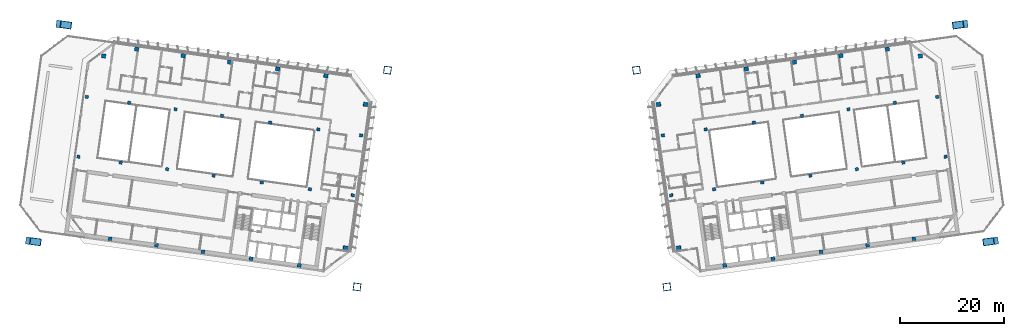
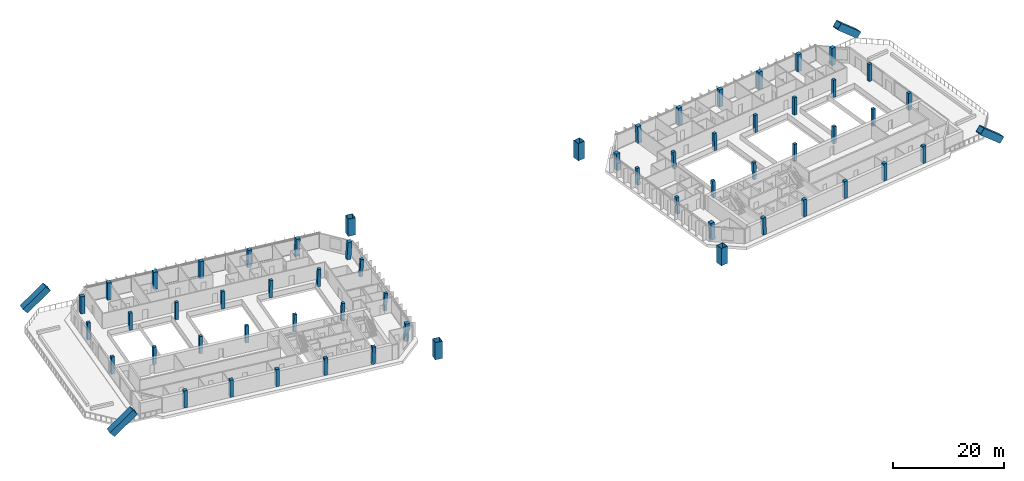
# One storey, part 1 of 23: 62 columns.
"""IFC4 building model written with IfcOpenShell, lengths in metres."""

from ifc_helpers import new_model, si_unit, direction, frame, origin, origin_2d, place, context, subcontext, project, spatial, rectangle, hollow_rectangle, extrude, material, material_profile, profile_set, type_object, element, save


model = new_model("IFC4")

# Units and contexts
model_context = context("Model", 3, precision=1e-05, world=origin(), true_north=direction((0.0, 1.0)))
body_context = subcontext(model_context, "Body", "Model", "MODEL_VIEW")
ifc_project = project(units=[si_unit("LENGTHUNIT", "METRE"), si_unit("AREAUNIT", "SQUARE_METRE"), si_unit("VOLUMEUNIT", "CUBIC_METRE"), si_unit("PLANEANGLEUNIT", "RADIAN"), si_unit("MASSUNIT", "GRAM", prefix="KILO")], contexts=[model_context])

# Site, building, storey
site_placement = place(None, origin())
site = spatial("IfcSite", under=ifc_project, at=site_placement, CompositionType="ELEMENT")
building_placement = place(site_placement, origin())
building = spatial("IfcBuilding", under=site, at=building_placement, Name="Mirante Cascada Hotel Towers", CompositionType="ELEMENT")
storey_placement = place(building_placement, frame((0.0, 0.0, 180.2)))
storey = spatial("IfcBuildingStorey", under=building, at=storey_placement, Name="L42", CompositionType="ELEMENT", Elevation=180.2)

# Columns
ifc_material_1 = material(Name="Steel ASTM A572 Gr 50", Category="steel")
ifc_material_profile_1 = material_profile(ifc_material_1, hollow_rectangle(XDim=1.4, YDim=1.4, WallThickness=0.06, at=origin_2d()), Name="Box column 1400x1400x60 ASTM A572 Gr 50")
ifc_profile_set_1 = profile_set([ifc_material_profile_1], Name="Steel ASTM A572 Gr 50")
column_type_1 = type_object("IfcColumnType", Name="Box column 1400x1400x60 ASTM A572 Gr 50", PredefinedType="COLUMN", material=ifc_profile_set_1)
for number, where, z_axis, x_axis, name in (
    (1, (-23.8883, 18.3474, 0.0), (0.0, 0.0, 1.0), (-0.9902681, 0.1391731, 0.0), "Mega column MC1 T1 L42"),
    (2, (-29.7336, -23.2438, 0.0), (0.0, 0.0, 1.0), (-0.9902681, 0.1391731, 0.0), "Mega column MC2 T1 L42"),
):
    element("IfcColumn", number, at=place(storey_placement, frame(where, z_axis=z_axis, x_axis=x_axis)), inside=storey, type_object=column_type_1, Name=name, PredefinedType="COLUMN", context=body_context, shape_type="SweptSolid", body=[
        extrude(hollow_rectangle(XDim=1.4, YDim=1.4, WallThickness=0.06, at=origin_2d()), origin(), (0.0, 0.0, 1.0), 3.8),
    ])
column_1_placement = place(storey_placement, frame((-86.9886, 27.2156, 0.0), z_axis=(0.7565937, -0.106336, 0.6451811), x_axis=(0.1391779, 0.9902674, 0.0)))
element("IfcColumn", 3, at=column_1_placement, inside=storey, type_object=column_type_1, Name="Mega column MC3 T1 L42", PredefinedType="COLUMN", context=body_context, shape_type="SweptSolid", body=[
    extrude(hollow_rectangle(XDim=1.4, YDim=1.4, WallThickness=0.06, at=origin_2d()), origin(), (0.0, 0.0, 1.0), 5.8898),
])
column_2_placement = place(storey_placement, frame((-92.8339, -14.3757, 0.0), z_axis=(0.7566023, -0.1063179, 0.645174), x_axis=(0.139153, 0.9902709, 0.0)))
element("IfcColumn", 4, at=column_2_placement, inside=storey, type_object=column_type_1, Name="Mega column MC4 T1 L42", PredefinedType="COLUMN", context=body_context, shape_type="SweptSolid", body=[
    extrude(hollow_rectangle(XDim=1.4, YDim=1.4, WallThickness=0.06, at=origin_2d()), origin(), (0.0, 0.0, 1.0), 5.8899),
])
for number, where, z_axis, x_axis, name in (
    (5, (23.8883, 18.3474, 0.0), (0.0, 0.0, 1.0), (0.9902681, 0.1391731, 0.0), "Mega column MC1 T2 L42"),
    (6, (29.7336, -23.2438, 0.0), (0.0, 0.0, 1.0), (0.9902681, 0.1391731, 0.0), "Mega column MC2 T2 L42"),
):
    element("IfcColumn", number, at=place(storey_placement, frame(where, z_axis=z_axis, x_axis=x_axis)), inside=storey, type_object=column_type_1, Name=name, PredefinedType="COLUMN", context=body_context, shape_type="SweptSolid", body=[
        extrude(hollow_rectangle(XDim=1.4, YDim=1.4, WallThickness=0.06, at=origin_2d()), origin(), (0.0, 0.0, 1.0), 3.8),
    ])
column_3_placement = place(storey_placement, frame((86.9886, 27.2156, 0.0), z_axis=(-0.7565937, -0.106336, 0.6451811), x_axis=(0.1391779, -0.9902674, 0.0)))
element("IfcColumn", 7, at=column_3_placement, inside=storey, type_object=column_type_1, Name="Mega column MC3 T2 L42", PredefinedType="COLUMN", context=body_context, shape_type="SweptSolid", body=[
    extrude(hollow_rectangle(XDim=1.4, YDim=1.4, WallThickness=0.06, at=origin_2d()), origin(), (0.0, 0.0, 1.0), 5.8898),
])
column_4_placement = place(storey_placement, frame((92.8339, -14.3757, 0.0), z_axis=(-0.7566023, -0.1063179, 0.645174), x_axis=(0.139153, -0.9902709, 0.0)))
element("IfcColumn", 8, at=column_4_placement, inside=storey, type_object=column_type_1, Name="Mega column MC4 T2 L42", PredefinedType="COLUMN", context=body_context, shape_type="SweptSolid", body=[
    extrude(hollow_rectangle(XDim=1.4, YDim=1.4, WallThickness=0.06, at=origin_2d()), origin(), (0.0, 0.0, 1.0), 5.8899),
])
ifc_material_2 = material(Name="Concrete C50/60", Category="concrete")
ifc_material_profile_2 = material_profile(ifc_material_2, rectangle(XDim=0.6, YDim=0.6, at=origin_2d()), Name="RC column 600x600 C50/60")
ifc_profile_set_2 = profile_set([ifc_material_profile_2], Name="Concrete C50/60")
column_type_2 = type_object("IfcColumnType", Name="RC column 600x600 C50/60", PredefinedType="COLUMN", material=ifc_profile_set_2)
for number, where, z_axis, x_axis, name in (
    (9, (-28.9892, 5.8356, 0.004), (0.0618516, -0.0086855, 0.9980476), (0.1390611, 0.9902838, 0.0), "Column T1 L42 2"),
    (10, (-30.6036, -5.6515, 0.004), (0.0618516, -0.0087119, 0.9980473), (0.1394743, 0.9902257, 0.0), "Column T1 L42 3"),
):
    element("IfcColumn", number, at=place(storey_placement, frame(where, z_axis=z_axis, x_axis=x_axis)), inside=storey, type_object=column_type_2, Name=name, PredefinedType="COLUMN", context=body_context, shape_type="SweptSolid", body=[
        extrude(rectangle(XDim=0.6, YDim=0.6, at=origin_2d()), origin(), (0.0, 0.0, 1.0), 3.7994),
    ])
for number, where, z_axis, x_axis, name in (
    (11, (-37.1869, 6.9877, 0.004), (0.0472562, -0.006638, 0.9988607), (0.1391026, 0.990278, 0.0), "Column T1 L42 6"),
    (12, (-38.8013, -4.4994, 0.004), (0.0472562, -0.006638, 0.9988607), (0.1391026, 0.990278, 0.0), "Column T1 L42 7"),
):
    element("IfcColumn", number, at=place(storey_placement, frame(where, z_axis=z_axis, x_axis=x_axis)), inside=storey, type_object=column_type_2, Name=name, PredefinedType="COLUMN", context=body_context, shape_type="SweptSolid", body=[
        extrude(rectangle(XDim=0.6, YDim=0.6, at=origin_2d()), origin(), (0.0, 0.0, 1.0), 3.7963),
    ])
for number, where, z_axis, x_axis, name in (
    (13, (-46.4123, 8.2842, 0.004), (0.0236483, -0.0033218, 0.9997148), (0.1391026, 0.990278, 0.0), "Column T1 L42 10"),
    (14, (-48.0267, -3.2029, 0.004), (0.0236483, -0.0033218, 0.9997148), (0.1391026, 0.990278, 0.0), "Column T1 L42 11"),
):
    element("IfcColumn", number, at=place(storey_placement, frame(where, z_axis=z_axis, x_axis=x_axis)), inside=storey, type_object=column_type_2, Name=name, PredefinedType="COLUMN", context=body_context, shape_type="SweptSolid", body=[
        extrude(rectangle(XDim=0.6, YDim=0.6, at=origin_2d()), origin(), (0.0, 0.0, 1.0), 3.7931),
    ])
for number, where, z_axis, x_axis, name in (
    (15, (-55.6378, 9.5808, 0.0), (0.0, 0.0, 1.0), (-0.9902681, 0.1391731, 0.0), "Column T1 L42 14"),
    (16, (-57.2522, -1.9063, 0.0), (0.0, 0.0, 1.0), (-0.9902681, 0.1391731, 0.0), "Column T1 L42 15"),
    (17, (-64.5502, 10.8333, 0.0), (0.0, 0.0, 1.0), (-0.9902681, 0.1391731, 0.0), "Column T1 L42 18"),
    (18, (-66.1646, -0.6538, 0.0), (0.0, 0.0, 1.0), (-0.9902681, 0.1391731, 0.0), "Column T1 L42 19"),
    (19, (-73.4626, 12.0859, 0.0), (0.0, 0.0, 1.0), (-0.9902681, 0.1391731, 0.0), "Column T1 L42 22"),
    (20, (-75.077, 0.5988, 0.0), (0.0, 0.0, 1.0), (-0.9902681, 0.1391731, 0.0), "Column T1 L42 23"),
    (21, (-81.5828, 13.2271, 0.0), (0.0, 0.0, 1.0), (-0.9902681, 0.1391731, 0.0), "Column T1 L42 26"),
    (22, (-83.1972, 1.74, 0.0), (0.0, 0.0, 1.0), (-0.9902681, 0.1391731, 0.0), "Column T1 L42 27"),
):
    element("IfcColumn", number, at=place(storey_placement, frame(where, z_axis=z_axis, x_axis=x_axis)), inside=storey, type_object=column_type_2, Name=name, PredefinedType="COLUMN", context=body_context, shape_type="SweptSolid", body=[
        extrude(rectangle(XDim=0.6, YDim=0.6, at=origin_2d()), origin(), (0.0, 0.0, 1.0), 3.8),
    ])
for number, where, z_axis, x_axis, name in (
    (23, (28.9892, 5.8356, 0.004), (-0.0618516, -0.0086855, 0.9980476), (0.1390611, -0.9902838, 0.0), "Column T2 L42 2"),
    (24, (30.6036, -5.6515, 0.004), (-0.0618516, -0.0087119, 0.9980473), (0.1394743, -0.9902257, 0.0), "Column T2 L42 3"),
):
    element("IfcColumn", number, at=place(storey_placement, frame(where, z_axis=z_axis, x_axis=x_axis)), inside=storey, type_object=column_type_2, Name=name, PredefinedType="COLUMN", context=body_context, shape_type="SweptSolid", body=[
        extrude(rectangle(XDim=0.6, YDim=0.6, at=origin_2d()), origin(), (0.0, 0.0, 1.0), 3.7994),
    ])
for number, where, z_axis, x_axis, name in (
    (25, (37.1869, 6.9877, 0.004), (-0.0472562, -0.006638, 0.9988607), (0.1391026, -0.990278, 0.0), "Column T2 L42 6"),
    (26, (38.8013, -4.4994, 0.004), (-0.0472562, -0.006638, 0.9988607), (0.1391026, -0.990278, 0.0), "Column T2 L42 7"),
):
    element("IfcColumn", number, at=place(storey_placement, frame(where, z_axis=z_axis, x_axis=x_axis)), inside=storey, type_object=column_type_2, Name=name, PredefinedType="COLUMN", context=body_context, shape_type="SweptSolid", body=[
        extrude(rectangle(XDim=0.6, YDim=0.6, at=origin_2d()), origin(), (0.0, 0.0, 1.0), 3.7963),
    ])
for number, where, z_axis, x_axis, name in (
    (27, (46.4123, 8.2842, 0.004), (-0.0236483, -0.0033218, 0.9997148), (0.1391026, -0.990278, 0.0), "Column T2 L42 10"),
    (28, (48.0267, -3.2029, 0.004), (-0.0236483, -0.0033218, 0.9997148), (0.1391026, -0.990278, 0.0), "Column T2 L42 11"),
):
    element("IfcColumn", number, at=place(storey_placement, frame(where, z_axis=z_axis, x_axis=x_axis)), inside=storey, type_object=column_type_2, Name=name, PredefinedType="COLUMN", context=body_context, shape_type="SweptSolid", body=[
        extrude(rectangle(XDim=0.6, YDim=0.6, at=origin_2d()), origin(), (0.0, 0.0, 1.0), 3.7931),
    ])
for number, where, z_axis, x_axis, name in (
    (29, (55.6378, 9.5808, 0.0), (0.0, 0.0, 1.0), (0.9902681, 0.1391731, 0.0), "Column T2 L42 14"),
    (30, (57.2522, -1.9063, 0.0), (0.0, 0.0, 1.0), (0.9902681, 0.1391731, 0.0), "Column T2 L42 15"),
    (31, (64.5502, 10.8333, 0.0), (0.0, 0.0, 1.0), (0.9902681, 0.1391731, 0.0), "Column T2 L42 18"),
    (32, (66.1646, -0.6538, 0.0), (0.0, 0.0, 1.0), (0.9902681, 0.1391731, 0.0), "Column T2 L42 19"),
    (33, (73.4626, 12.0859, 0.0), (0.0, 0.0, 1.0), (0.9902681, 0.1391731, 0.0), "Column T2 L42 22"),
    (34, (75.077, 0.5988, 0.0), (0.0, 0.0, 1.0), (0.9902681, 0.1391731, 0.0), "Column T2 L42 23"),
    (35, (81.5828, 13.2271, 0.0), (0.0, 0.0, 1.0), (0.9902681, 0.1391731, 0.0), "Column T2 L42 26"),
    (36, (83.1972, 1.74, 0.0), (0.0, 0.0, 1.0), (0.9902681, 0.1391731, 0.0), "Column T2 L42 27"),
):
    element("IfcColumn", number, at=place(storey_placement, frame(where, z_axis=z_axis, x_axis=x_axis)), inside=storey, type_object=column_type_2, Name=name, PredefinedType="COLUMN", context=body_context, shape_type="SweptSolid", body=[
        extrude(rectangle(XDim=0.6, YDim=0.6, at=origin_2d()), origin(), (0.0, 0.0, 1.0), 3.8),
    ])
ifc_material_3 = material(Name="Concrete C50/60", Category="concrete")
ifc_material_profile_3 = material_profile(ifc_material_3, rectangle(XDim=0.7, YDim=0.7, at=origin_2d()), Name="RC column 700x700 C50/60")
ifc_profile_set_3 = profile_set([ifc_material_profile_3], Name="Concrete C50/60")
column_type_3 = type_object("IfcColumnType", Name="RC column 700x700 C50/60", PredefinedType="COLUMN", material=ifc_profile_set_3)
column_5_placement = place(storey_placement, frame((-40.8541, -19.1059, 0.004), z_axis=(0.0472562, -0.006638, 0.9988607), x_axis=(0.1391026, 0.990278, 0.0)))
element("IfcColumn", 37, at=column_5_placement, inside=storey, type_object=column_type_3, Name="Column T1 L42 8", PredefinedType="COLUMN", context=body_context, shape_type="SweptSolid", body=[
    extrude(rectangle(XDim=0.7, YDim=0.7, at=origin_2d()), origin(), (0.0, 0.0, 1.0), 3.7963),
])
column_6_placement = place(storey_placement, frame((-50.0795, -17.8093, 0.004), z_axis=(0.0236483, -0.0033218, 0.9997148), x_axis=(0.1391026, 0.990278, 0.0)))
element("IfcColumn", 38, at=column_6_placement, inside=storey, type_object=column_type_3, Name="Column T1 L42 12", PredefinedType="COLUMN", context=body_context, shape_type="SweptSolid", body=[
    extrude(rectangle(XDim=0.7, YDim=0.7, at=origin_2d()), origin(), (0.0, 0.0, 1.0), 3.7931),
])
for number, where, z_axis, x_axis, name in (
    (39, (-59.305, -16.5128, 0.0), (0.0, 0.0, 1.0), (-0.9902681, 0.1391731, 0.0), "Column T1 L42 16"),
    (40, (-68.2174, -15.2602, 0.0), (0.0, 0.0, 1.0), (-0.9902681, 0.1391731, 0.0), "Column T1 L42 20"),
    (41, (-77.1298, -14.0077, 0.0), (0.0, 0.0, 1.0), (-0.9902681, 0.1391731, 0.0), "Column T1 L42 24"),
):
    element("IfcColumn", number, at=place(storey_placement, frame(where, z_axis=z_axis, x_axis=x_axis)), inside=storey, type_object=column_type_3, Name=name, PredefinedType="COLUMN", context=body_context, shape_type="SweptSolid", body=[
        extrude(rectangle(XDim=0.7, YDim=0.7, at=origin_2d()), origin(), (0.0, 0.0, 1.0), 3.8),
    ])
column_7_placement = place(storey_placement, frame((40.8541, -19.1059, 0.004), z_axis=(-0.0472562, -0.006638, 0.9988607), x_axis=(0.1391026, -0.990278, 0.0)))
element("IfcColumn", 42, at=column_7_placement, inside=storey, type_object=column_type_3, Name="Column T2 L42 8", PredefinedType="COLUMN", context=body_context, shape_type="SweptSolid", body=[
    extrude(rectangle(XDim=0.7, YDim=0.7, at=origin_2d()), origin(), (0.0, 0.0, 1.0), 3.7963),
])
column_8_placement = place(storey_placement, frame((50.0795, -17.8093, 0.004), z_axis=(-0.0236483, -0.0033218, 0.9997148), x_axis=(0.1391026, -0.990278, 0.0)))
element("IfcColumn", 43, at=column_8_placement, inside=storey, type_object=column_type_3, Name="Column T2 L42 12", PredefinedType="COLUMN", context=body_context, shape_type="SweptSolid", body=[
    extrude(rectangle(XDim=0.7, YDim=0.7, at=origin_2d()), origin(), (0.0, 0.0, 1.0), 3.7931),
])
for number, where, z_axis, x_axis, name in (
    (44, (59.305, -16.5128, 0.0), (0.0, 0.0, 1.0), (0.9902681, 0.1391731, 0.0), "Column T2 L42 16"),
    (45, (68.2174, -15.2602, 0.0), (0.0, 0.0, 1.0), (0.9902681, 0.1391731, 0.0), "Column T2 L42 20"),
    (46, (77.1298, -14.0077, 0.0), (0.0, 0.0, 1.0), (0.9902681, 0.1391731, 0.0), "Column T2 L42 24"),
):
    element("IfcColumn", number, at=place(storey_placement, frame(where, z_axis=z_axis, x_axis=x_axis)), inside=storey, type_object=column_type_3, Name=name, PredefinedType="COLUMN", context=body_context, shape_type="SweptSolid", body=[
        extrude(rectangle(XDim=0.7, YDim=0.7, at=origin_2d()), origin(), (0.0, 0.0, 1.0), 3.8),
    ])
ifc_material_4 = material(Name="Concrete C50/60", Category="concrete")
ifc_material_profile_4 = material_profile(ifc_material_4, rectangle(XDim=0.8, YDim=0.8, at=origin_2d()), Name="RC column 800x800 C50/60")
ifc_profile_set_4 = profile_set([ifc_material_profile_4], Name="Concrete C50/60")
column_type_4 = type_object("IfcColumnType", Name="RC column 800x800 C50/60", PredefinedType="COLUMN", material=ifc_profile_set_4)
for number, where, z_axis, x_axis, name in (
    (47, (-28.1542, 11.7772, 0.004), (0.0618516, -0.0086855, 0.9980476), (0.1390611, 0.9902838, 0.0), "Column T1 L42 1"),
    (48, (-32.0232, -15.7523, 0.004), (0.0618516, -0.0086855, 0.9980476), (0.1390611, 0.9902838, 0.0), "Column T1 L42 4"),
):
    element("IfcColumn", number, at=place(storey_placement, frame(where, z_axis=z_axis, x_axis=x_axis)), inside=storey, type_object=column_type_4, Name=name, PredefinedType="COLUMN", context=body_context, shape_type="SweptSolid", body=[
        extrude(rectangle(XDim=0.8, YDim=0.8, at=origin_2d()), origin(), (0.0, 0.0, 1.0), 3.7994),
    ])
column_9_placement = place(storey_placement, frame((-35.7395, 17.2865, 0.004), z_axis=(0.0472562, -0.006638, 0.9988607), x_axis=(0.1391026, 0.990278, 0.0)))
element("IfcColumn", 49, at=column_9_placement, inside=storey, type_object=column_type_4, Name="Column T1 L42 5", PredefinedType="COLUMN", context=body_context, shape_type="SweptSolid", body=[
    extrude(rectangle(XDim=0.8, YDim=0.8, at=origin_2d()), origin(), (0.0, 0.0, 1.0), 3.7963),
])
column_10_placement = place(storey_placement, frame((-44.9649, 18.583, 0.004), z_axis=(0.0236483, -0.0033218, 0.9997148), x_axis=(0.1391026, 0.990278, 0.0)))
element("IfcColumn", 50, at=column_10_placement, inside=storey, type_object=column_type_4, Name="Column T1 L42 9", PredefinedType="COLUMN", context=body_context, shape_type="SweptSolid", body=[
    extrude(rectangle(XDim=0.8, YDim=0.8, at=origin_2d()), origin(), (0.0, 0.0, 1.0), 3.7931),
])
for number, where, z_axis, x_axis, name in (
    (51, (-54.1904, 19.8796, 0.0), (0.0, 0.0, 1.0), (-0.9902681, 0.1391731, 0.0), "Column T1 L42 13"),
    (52, (-63.1028, 21.1321, 0.0), (0.0, 0.0, 1.0), (-0.9902681, 0.1391731, 0.0), "Column T1 L42 17"),
    (53, (-72.0152, 22.3847, 0.0), (0.0, 0.0, 1.0), (-0.9902681, 0.1391731, 0.0), "Column T1 L42 21"),
    (54, (-78.362, 21.0551, 0.0), (0.0, 0.0, 1.0), (-0.9902681, 0.1391731, 0.0), "Column T1 L42 25"),
):
    element("IfcColumn", number, at=place(storey_placement, frame(where, z_axis=z_axis, x_axis=x_axis)), inside=storey, type_object=column_type_4, Name=name, PredefinedType="COLUMN", context=body_context, shape_type="SweptSolid", body=[
        extrude(rectangle(XDim=0.8, YDim=0.8, at=origin_2d()), origin(), (0.0, 0.0, 1.0), 3.8),
    ])
for number, where, z_axis, x_axis, name in (
    (55, (28.1542, 11.7772, 0.004), (-0.0618516, -0.0086855, 0.9980476), (0.1390611, -0.9902838, 0.0), "Column T2 L42 1"),
    (56, (32.0232, -15.7523, 0.004), (-0.0618516, -0.0086855, 0.9980476), (0.1390611, -0.9902838, 0.0), "Column T2 L42 4"),
):
    element("IfcColumn", number, at=place(storey_placement, frame(where, z_axis=z_axis, x_axis=x_axis)), inside=storey, type_object=column_type_4, Name=name, PredefinedType="COLUMN", context=body_context, shape_type="SweptSolid", body=[
        extrude(rectangle(XDim=0.8, YDim=0.8, at=origin_2d()), origin(), (0.0, 0.0, 1.0), 3.7994),
    ])
column_11_placement = place(storey_placement, frame((35.7395, 17.2865, 0.004), z_axis=(-0.0472562, -0.006638, 0.9988607), x_axis=(0.1391026, -0.990278, 0.0)))
element("IfcColumn", 57, at=column_11_placement, inside=storey, type_object=column_type_4, Name="Column T2 L42 5", PredefinedType="COLUMN", context=body_context, shape_type="SweptSolid", body=[
    extrude(rectangle(XDim=0.8, YDim=0.8, at=origin_2d()), origin(), (0.0, 0.0, 1.0), 3.7963),
])
column_12_placement = place(storey_placement, frame((44.9649, 18.583, 0.004), z_axis=(-0.0236483, -0.0033218, 0.9997148), x_axis=(0.1391026, -0.990278, 0.0)))
element("IfcColumn", 58, at=column_12_placement, inside=storey, type_object=column_type_4, Name="Column T2 L42 9", PredefinedType="COLUMN", context=body_context, shape_type="SweptSolid", body=[
    extrude(rectangle(XDim=0.8, YDim=0.8, at=origin_2d()), origin(), (0.0, 0.0, 1.0), 3.7931),
])
for number, where, z_axis, x_axis, name in (
    (59, (54.1904, 19.8796, 0.0), (0.0, 0.0, 1.0), (0.9902681, 0.1391731, 0.0), "Column T2 L42 13"),
    (60, (63.1028, 21.1321, 0.0), (0.0, 0.0, 1.0), (0.9902681, 0.1391731, 0.0), "Column T2 L42 17"),
    (61, (72.0152, 22.3847, 0.0), (0.0, 0.0, 1.0), (0.9902681, 0.1391731, 0.0), "Column T2 L42 21"),
    (62, (78.362, 21.0551, 0.0), (0.0, 0.0, 1.0), (0.9902681, 0.1391731, 0.0), "Column T2 L42 25"),
):
    element("IfcColumn", number, at=place(storey_placement, frame(where, z_axis=z_axis, x_axis=x_axis)), inside=storey, type_object=column_type_4, Name=name, PredefinedType="COLUMN", context=body_context, shape_type="SweptSolid", body=[
        extrude(rectangle(XDim=0.8, YDim=0.8, at=origin_2d()), origin(), (0.0, 0.0, 1.0), 3.8),
    ])

save(model, "model.ifc")
